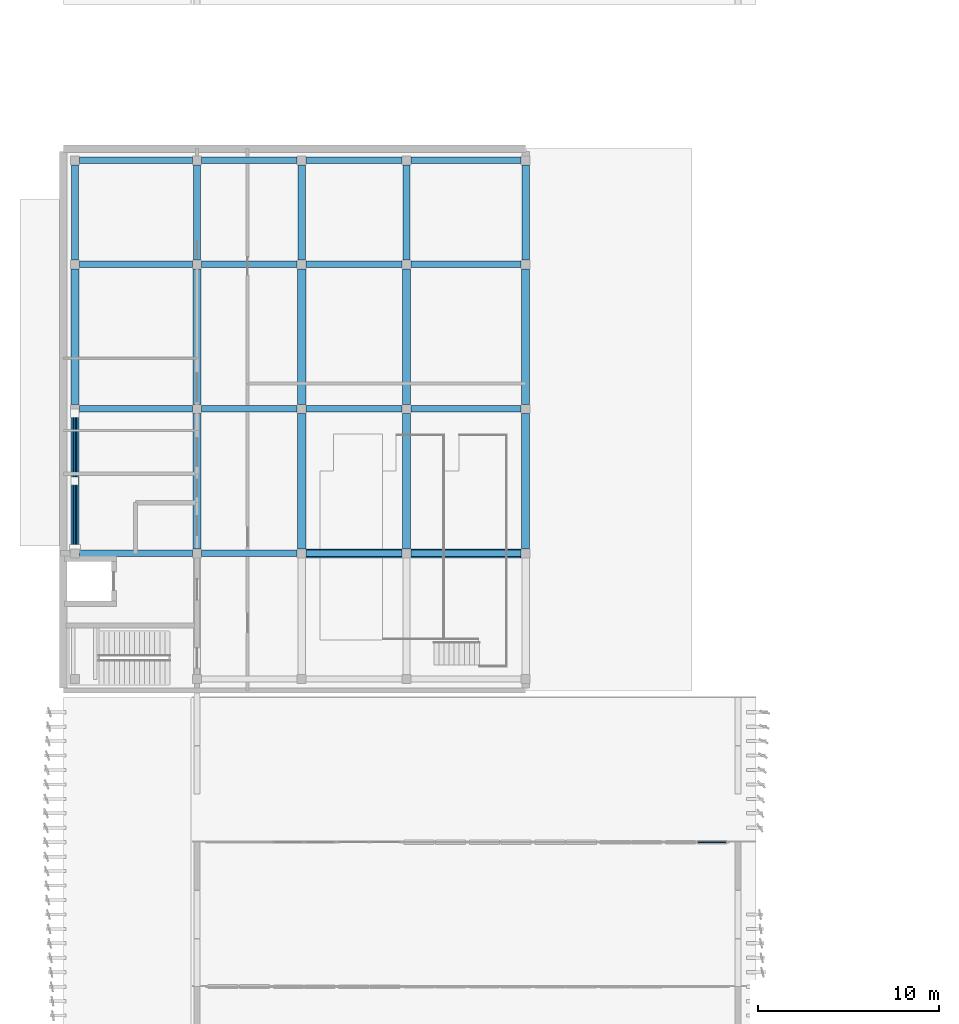
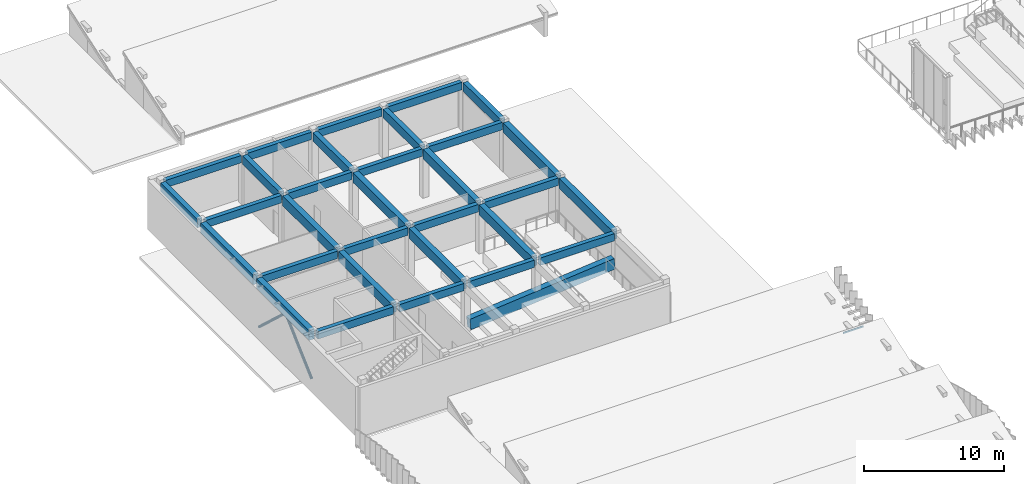
# One storey, part 11 of 45: 32 beams, 3 members, 1 element without a shape of its own.
"""IFC4 building model written with IfcOpenShell, lengths in metres."""

from ifc_helpers import new_model, si_unit, direction, frame, origin, origin_2d, place, context, subcontext, project, spatial, rectangle, hollow_circle, extrude, material, layer, layer_set, material_profile, profile_set, type_object, element, aggregate, save


model = new_model("IFC4")

# Units and contexts
model_context = context("Model", 3, precision=1e-05, world=origin(), true_north=direction((0.0, 1.0)))
body_context = subcontext(model_context, "Body", "Model", "MODEL_VIEW")
ifc_project = project(units=[si_unit("LENGTHUNIT", "METRE"), si_unit("AREAUNIT", "SQUARE_METRE"), si_unit("VOLUMEUNIT", "CUBIC_METRE"), si_unit("PLANEANGLEUNIT", "RADIAN"), si_unit("MASSUNIT", "GRAM", prefix="KILO")], contexts=[model_context])

# Site, building, storey
site_placement = place(None, origin())
site = spatial("IfcSite", under=ifc_project, at=site_placement, CompositionType="ELEMENT")
building_placement = place(site_placement, origin())
building = spatial("IfcBuilding", under=site, at=building_placement, Name="Cinchona Park Media Centre", CompositionType="ELEMENT")
storey_placement = place(building_placement, frame((0.0, 0.0, 20.39990234375)))
storey = spatial("IfcBuildingStorey", under=building, at=storey_placement, Name="L04", CompositionType="ELEMENT", Elevation=20.39990234375)

# Beams
ifc_material_1 = material(Name="Concrete C35/45", Category="concrete")
ifc_material_profile_1 = material_profile(ifc_material_1, rectangle(XDim=0.39990234375, YDim=0.75, at=origin_2d()), Name="RB 400X750")
ifc_profile_set_1 = profile_set([ifc_material_profile_1], Name="Concrete C35/45")
beam_type_1 = type_object("IfcBeamType", Name="BEAM-B01-RB400X750", PredefinedType="BEAM", material=ifc_profile_set_1)
for number, where, z_axis, x_axis, name in (
    (1, (8.639892578125, 87.85009765625, 3.905029296875), (0.0, 1.0, 0.0), (-1.0, 0.0, 0.0), "Girder B01 L04"),
    (2, (15.39990234375, 87.85009765625, 3.905029296875), (0.0, 1.0, 0.0), (-1.0, 0.0, 0.0), "Girder B01 L04"),
    (3, (21.199951171875, 87.85009765625, 3.905029296875), (0.0, 1.0, 0.0), (-1.0, 0.0, 0.0), "Girder B01 L04"),
    (4, (27.0, 87.85009765625, 3.905029296875), (0.0, 1.0, 0.0), (-1.0, 0.0, 0.0), "Girder B01 L04"),
    (5, (33.60009765625, 87.85009765625, 3.905029296875), (0.0, 1.0, 0.0), (-1.0, 0.0, 0.0), "Girder B01 L04"),
):
    element("IfcBeam", number, at=place(storey_placement, frame(where, z_axis=z_axis, x_axis=x_axis)), inside=storey, type_object=beam_type_1, Name=name, PredefinedType="BEAM", context=body_context, shape_type="SweptSolid", body=[
        extrude(rectangle(XDim=0.39990234375, YDim=0.75, at=origin_2d()), origin(), (0.0, 0.0, 1.0), 5.260009765625),
    ])
ifc_material_2 = material(Name="Concrete C35/45", Category="concrete")
ifc_material_profile_2 = material_profile(ifc_material_2, rectangle(XDim=0.449951171875, YDim=0.85009765625, at=origin_2d()), Name="RB 450X850")
ifc_profile_set_2 = profile_set([ifc_material_profile_2], Name="Concrete C35/45")
beam_type_2 = type_object("IfcBeamType", Name="BEAM-B02-RB450X850", PredefinedType="BEAM", material=ifc_profile_set_2)
for number, where, z_axis, x_axis, name in (
    (6, (8.639892578125, 71.85009765625, 3.85498046875), (0.0, 1.0, 0.0), (-1.0, 0.0, 0.0), "Girder B02 L04"),
    (7, (8.639892578125, 79.85009765625, 3.85498046875), (0.0, 1.0, 0.0), (-1.0, 0.0, 0.0), "Girder B02 L04"),
    (8, (15.39990234375, 71.85009765625, 3.85498046875), (0.0, 1.0, 0.0), (-1.0, 0.0, 0.0), "Girder B02 L04"),
    (9, (15.39990234375, 79.85009765625, 3.85498046875), (0.0, 1.0, 0.0), (-1.0, 0.0, 0.0), "Girder B02 L04"),
    (10, (21.199951171875, 71.85009765625, 3.85498046875), (0.0, 1.0, 0.0), (-1.0, 0.0, 0.0), "Girder B02 L04"),
    (11, (21.199951171875, 79.85009765625, 3.85498046875), (0.0, 1.0, 0.0), (-1.0, 0.0, 0.0), "Girder B02 L04"),
    (12, (27.0, 71.85009765625, 3.85498046875), (0.0, 1.0, 0.0), (-1.0, 0.0, 0.0), "Girder B02 L04"),
    (13, (27.0, 79.85009765625, 3.85498046875), (0.0, 1.0, 0.0), (-1.0, 0.0, 0.0), "Girder B02 L04"),
    (14, (33.60009765625, 71.85009765625, 3.85498046875), (0.0, 1.0, 0.0), (-1.0, 0.0, 0.0), "Girder B02 L04"),
    (15, (33.60009765625, 79.85009765625, 3.85498046875), (0.0, 1.0, 0.0), (-1.0, 0.0, 0.0), "Girder B02 L04"),
):
    element("IfcBeam", number, at=place(storey_placement, frame(where, z_axis=z_axis, x_axis=x_axis)), inside=storey, type_object=beam_type_2, Name=name, PredefinedType="BEAM", context=body_context, shape_type="SweptSolid", body=[
        extrude(rectangle(XDim=0.449951171875, YDim=0.85009765625, at=origin_2d()), origin(), (0.0, 0.0, 1.0), 7.5),
    ])
ifc_material_3 = material(Name="Concrete C40/50", Category="concrete")
ifc_material_profile_3 = material_profile(ifc_material_3, rectangle(XDim=0.5, YDim=0.949951171875, at=origin_2d()), Name="RB 500X950")
ifc_profile_set_3 = profile_set([ifc_material_profile_3], Name="Concrete C40/50")
beam_type_3 = type_object("IfcBeamType", Name="BEAM-B03-RB500X950", PredefinedType="BEAM", material=ifc_profile_set_3)
beam_1_placement = place(storey_placement, frame((21.43994140625, 71.60009765625, 0.550048828125), z_axis=(0.995456904868, 0.0, 0.095213184756), x_axis=(0.0, 1.0, 0.0)))
element("IfcBeam", 16, at=beam_1_placement, inside=storey, type_object=beam_type_3, Name="RAKER Beam Documentary Screen 6 6", PredefinedType="BEAM", context=body_context, shape_type="SweptSolid", body=[
    extrude(rectangle(XDim=0.5, YDim=0.949951171875, at=origin_2d()), origin(), (0.0, 0.0, 1.0), 11.974609375),
])
ifc_material_4 = material(Name="Concrete C35/45", Category="concrete")
ifc_material_profile_4 = material_profile(ifc_material_4, rectangle(XDim=0.35009765625, YDim=0.64990234375, at=origin_2d()), Name="RB 350X650")
ifc_profile_set_4 = profile_set([ifc_material_profile_4], Name="Concrete C35/45")
beam_type_4 = type_object("IfcBeamType", Name="BEAM-B04-RB350X650", PredefinedType="BEAM", material=ifc_profile_set_4)
beam_2_placement = place(storey_placement, frame((8.889892578125, 71.60009765625, 3.955078125), z_axis=(1.0, 0.0, 0.0), x_axis=(0.0, 1.0, 0.0)))
element("IfcBeam", 17, at=beam_2_placement, inside=storey, type_object=beam_type_4, Name="Beam B04 L04", PredefinedType="BEAM", context=body_context, shape_type="SweptSolid", body=[
    extrude(rectangle(XDim=0.35009765625, YDim=0.64990234375, at=origin_2d()), origin(), (0.0, 0.0, 1.0), 6.260009765625),
])
for number, where, z_axis, x_axis, name in (
    (18, (15.64990234375, 71.60009765625, 3.955078125), (1.0, 0.0, 0.0), (0.0, 1.0, 0.0), "Beam B04 L04"),
    (19, (21.449951171875, 71.60009765625, 3.955078125), (1.0, 0.0, 0.0), (0.0, 1.0, 0.0), "Beam B04 L04"),
):
    element("IfcBeam", number, at=place(storey_placement, frame(where, z_axis=z_axis, x_axis=x_axis)), inside=storey, type_object=beam_type_4, Name=name, PredefinedType="BEAM", context=body_context, shape_type="SweptSolid", body=[
        extrude(rectangle(XDim=0.35009765625, YDim=0.64990234375, at=origin_2d()), origin(), (0.0, 0.0, 1.0), 5.300048828125),
    ])
beam_3_placement = place(storey_placement, frame((27.25, 71.60009765625, 3.955078125), z_axis=(1.0, 0.0, 0.0), x_axis=(0.0, 1.0, 0.0)))
element("IfcBeam", 20, at=beam_3_placement, inside=storey, type_object=beam_type_4, Name="Beam B04 L04", PredefinedType="BEAM", context=body_context, shape_type="SweptSolid", body=[
    extrude(rectangle(XDim=0.35009765625, YDim=0.64990234375, at=origin_2d()), origin(), (0.0, 0.0, 1.0), 6.10009765625),
])
beam_4_placement = place(storey_placement, frame((8.889892578125, 79.60009765625, 3.955078125), z_axis=(1.0, 0.0, 0.0), x_axis=(0.0, 1.0, 0.0)))
element("IfcBeam", 21, at=beam_4_placement, inside=storey, type_object=beam_type_4, Name="Beam B04 L04", PredefinedType="BEAM", context=body_context, shape_type="SweptSolid", body=[
    extrude(rectangle(XDim=0.35009765625, YDim=0.64990234375, at=origin_2d()), origin(), (0.0, 0.0, 1.0), 6.260009765625),
])
for number, where, z_axis, x_axis, name in (
    (22, (15.64990234375, 79.60009765625, 3.955078125), (1.0, 0.0, 0.0), (0.0, 1.0, 0.0), "Beam B04 L04"),
    (23, (21.449951171875, 79.60009765625, 3.955078125), (1.0, 0.0, 0.0), (0.0, 1.0, 0.0), "Beam B04 L04"),
):
    element("IfcBeam", number, at=place(storey_placement, frame(where, z_axis=z_axis, x_axis=x_axis)), inside=storey, type_object=beam_type_4, Name=name, PredefinedType="BEAM", context=body_context, shape_type="SweptSolid", body=[
        extrude(rectangle(XDim=0.35009765625, YDim=0.64990234375, at=origin_2d()), origin(), (0.0, 0.0, 1.0), 5.300048828125),
    ])
beam_5_placement = place(storey_placement, frame((27.25, 79.60009765625, 3.955078125), z_axis=(1.0, 0.0, 0.0), x_axis=(0.0, 1.0, 0.0)))
element("IfcBeam", 24, at=beam_5_placement, inside=storey, type_object=beam_type_4, Name="Beam B04 L04", PredefinedType="BEAM", context=body_context, shape_type="SweptSolid", body=[
    extrude(rectangle(XDim=0.35009765625, YDim=0.64990234375, at=origin_2d()), origin(), (0.0, 0.0, 1.0), 6.10009765625),
])
beam_6_placement = place(storey_placement, frame((8.889892578125, 87.60009765625, 3.955078125), z_axis=(1.0, 0.0, 0.0), x_axis=(0.0, 1.0, 0.0)))
element("IfcBeam", 25, at=beam_6_placement, inside=storey, type_object=beam_type_4, Name="Beam B04 L04", PredefinedType="BEAM", context=body_context, shape_type="SweptSolid", body=[
    extrude(rectangle(XDim=0.35009765625, YDim=0.64990234375, at=origin_2d()), origin(), (0.0, 0.0, 1.0), 6.260009765625),
])
for number, where, z_axis, x_axis, name in (
    (26, (15.64990234375, 87.60009765625, 3.955078125), (1.0, 0.0, 0.0), (0.0, 1.0, 0.0), "Beam B04 L04"),
    (27, (21.449951171875, 87.60009765625, 3.955078125), (1.0, 0.0, 0.0), (0.0, 1.0, 0.0), "Beam B04 L04"),
):
    element("IfcBeam", number, at=place(storey_placement, frame(where, z_axis=z_axis, x_axis=x_axis)), inside=storey, type_object=beam_type_4, Name=name, PredefinedType="BEAM", context=body_context, shape_type="SweptSolid", body=[
        extrude(rectangle(XDim=0.35009765625, YDim=0.64990234375, at=origin_2d()), origin(), (0.0, 0.0, 1.0), 5.300048828125),
    ])
beam_7_placement = place(storey_placement, frame((27.25, 87.60009765625, 3.955078125), z_axis=(1.0, 0.0, 0.0), x_axis=(0.0, 1.0, 0.0)))
element("IfcBeam", 28, at=beam_7_placement, inside=storey, type_object=beam_type_4, Name="Beam B04 L04", PredefinedType="BEAM", context=body_context, shape_type="SweptSolid", body=[
    extrude(rectangle(XDim=0.35009765625, YDim=0.64990234375, at=origin_2d()), origin(), (0.0, 0.0, 1.0), 6.10009765625),
])
beam_8_placement = place(storey_placement, frame((8.889892578125, 93.360107421875, 3.955078125), z_axis=(1.0, 0.0, 0.0), x_axis=(0.0, 1.0, 0.0)))
element("IfcBeam", 29, at=beam_8_placement, inside=storey, type_object=beam_type_4, Name="Beam B04 L04", PredefinedType="BEAM", context=body_context, shape_type="SweptSolid", body=[
    extrude(rectangle(XDim=0.35009765625, YDim=0.64990234375, at=origin_2d()), origin(), (0.0, 0.0, 1.0), 6.260009765625),
])
for number, where, z_axis, x_axis, name in (
    (30, (15.64990234375, 93.360107421875, 3.955078125), (1.0, 0.0, 0.0), (0.0, 1.0, 0.0), "Beam B04 L04"),
    (31, (21.449951171875, 93.360107421875, 3.955078125), (1.0, 0.0, 0.0), (0.0, 1.0, 0.0), "Beam B04 L04"),
):
    element("IfcBeam", number, at=place(storey_placement, frame(where, z_axis=z_axis, x_axis=x_axis)), inside=storey, type_object=beam_type_4, Name=name, PredefinedType="BEAM", context=body_context, shape_type="SweptSolid", body=[
        extrude(rectangle(XDim=0.35009765625, YDim=0.64990234375, at=origin_2d()), origin(), (0.0, 0.0, 1.0), 5.300048828125),
    ])
beam_9_placement = place(storey_placement, frame((27.25, 93.360107421875, 3.955078125), z_axis=(1.0, 0.0, 0.0), x_axis=(0.0, 1.0, 0.0)))
element("IfcBeam", 32, at=beam_9_placement, inside=storey, type_object=beam_type_4, Name="Beam B04 L04", PredefinedType="BEAM", context=body_context, shape_type="SweptSolid", body=[
    extrude(rectangle(XDim=0.35009765625, YDim=0.64990234375, at=origin_2d()), origin(), (0.0, 0.0, 1.0), 6.10009765625),
])

# Members
ifc_material_5 = material(Name="Steel S355", Category="steel")
ifc_material_profile_5 = material_profile(ifc_material_5, hollow_circle(Radius=0.109619140625, WallThickness=0.012451171875, at=origin_2d()), Name="219.1X12.5CHS")
ifc_profile_set_5 = profile_set([ifc_material_profile_5], Name="Steel S355")
member_type_1 = type_object("IfcMemberType", Name="MEMBER-BR02-CHS219.1X12.5", PredefinedType="BRACE", material=ifc_profile_set_5)
member_1_placement = place(storey_placement, frame((8.639892578125, 71.85498046875, 0.005126953125), z_axis=(0.0, 0.733062354417, 0.680161440054), x_axis=(-1.0, 0.0, 0.0)))
element("IfcMember", 33, at=member_1_placement, inside=storey, type_object=member_type_1, Name="Vertical Chevron Brace BR02 L04", PredefinedType="BRACE", context=body_context, shape_type="SweptSolid", body=[
    extrude(hollow_circle(Radius=0.109619140625, WallThickness=0.012451171875, at=origin_2d()), origin(), (0.0, 0.0, 1.0), 5.10888671875),
])
member_2_placement = place(storey_placement, frame((8.639892578125, 79.344970703125, 0.005126953125), z_axis=(0.0, -0.733040245759, 0.680185267481), x_axis=(1.0, 0.0, 0.0)))
element("IfcMember", 34, at=member_2_placement, inside=storey, type_object=member_type_1, Name="Vertical Chevron Brace BR02 L04", PredefinedType="BRACE", context=body_context, shape_type="SweptSolid", body=[
    extrude(hollow_circle(Radius=0.109619140625, WallThickness=0.012451171875, at=origin_2d()), origin(), (0.0, 0.0, 1.0), 5.108642578125),
])

# Curtain wall, member
ifc_material_6 = material(Name="Aluminium Curtain Wall Framing", Category="aluminium")
ifc_layer = layer(ifc_material_6, 0.31494140625)
ifc_layer_set = layer_set([ifc_layer], Name="Aluminium Curtain Wall Framing")
curtain_wall_type = type_object("IfcCurtainWallType", Name="CW-CW10", PredefinedType="USERDEFINED", material=ifc_layer_set)
curtain_wall_placement = place(storey_placement, origin())
curtain_wall = element("IfcCurtainWall", 35, at=curtain_wall_placement, inside=storey, type_object=curtain_wall_type, Name="North-Light Sawtooth Clerestory V1 Bay 6.1 CW10 L04", ObjectType="UNITISED CURTAIN WALL", PredefinedType="USERDEFINED")
ifc_material_7 = material(Name="Anodised Aluminium Alloy 6063-T6", Category="aluminium")
ifc_material_profile_6 = material_profile(ifc_material_7, rectangle(XDim=0.070068359375, YDim=0.139892578125, at=origin_2d()), Name="TRN-70X140")
ifc_profile_set_6 = profile_set([ifc_material_profile_6], Name="Anodised Aluminium Alloy 6063-T6")
member_type_2 = type_object("IfcMemberType", Name="TRANSOM-TRN02", PredefinedType="USERDEFINED", material=ifc_profile_set_6)
member_3_placement = place(storey_placement, frame((44.75, 55.60009765625, 1.802001953125), z_axis=(-1.0, 0.0, 0.0), x_axis=(0.0, -1.0, 0.0)))
member_3 = element("IfcMember", 36, at=member_3_placement, type_object=member_type_2, Name="CW10 transom 1.3", ObjectType="TRANSOM", PredefinedType="USERDEFINED", context=body_context, shape_type="SweptSolid", body=[
    extrude(rectangle(XDim=0.070068359375, YDim=0.139892578125, at=origin_2d()), origin(), (0.0, 0.0, 1.0), 1.6650390625),
])
aggregate(curtain_wall, [member_3])

save(model, "model.ifc")
